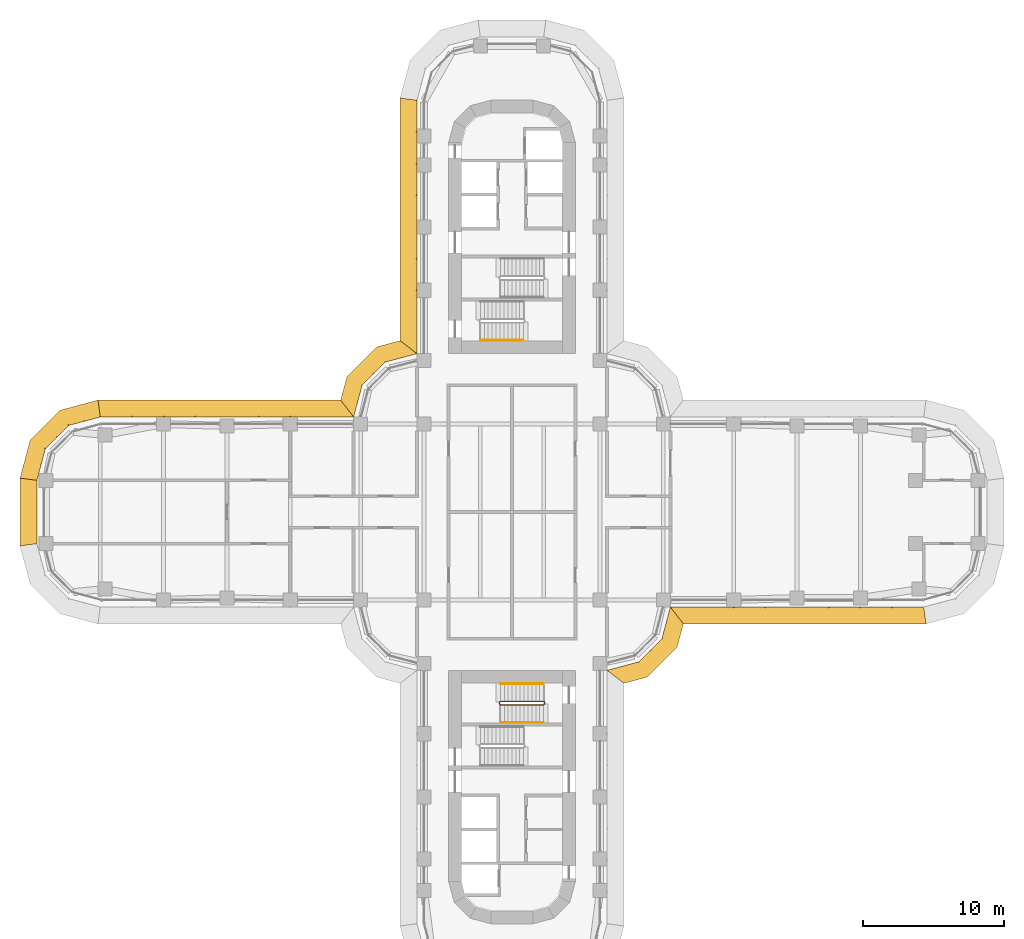
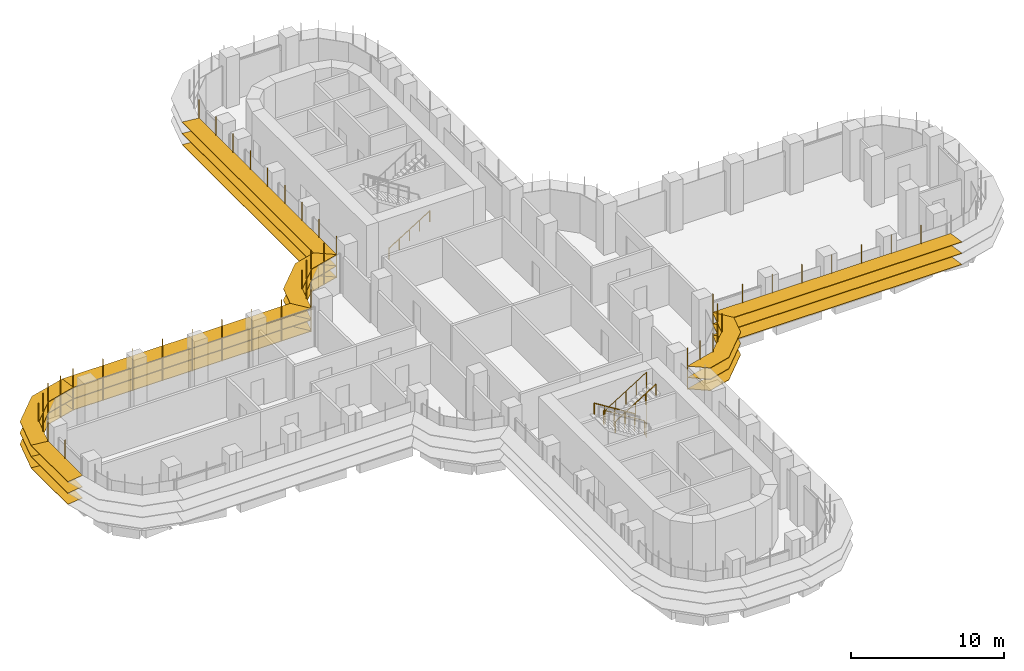
# One storey, part 21 of 23: 7 shading devices, 4 railings.
"""IFC4 building model written with IfcOpenShell, lengths in metres."""

from ifc_helpers import new_model, si_unit, direction, frame, origin, origin_2d, place, context, subcontext, project, spatial, polyline, circle, outline, extrude, faceted_brep, source, transform, mapped, material, type_object, element, save


model = new_model("IFC4")

# Units and contexts
model_context = context("Model", 3, precision=1e-05, world=origin(), true_north=direction((0.0, 1.0)))
body_context = subcontext(model_context, "Body", "Model", "MODEL_VIEW")
ifc_project = project(units=[si_unit("LENGTHUNIT", "METRE"), si_unit("AREAUNIT", "SQUARE_METRE"), si_unit("VOLUMEUNIT", "CUBIC_METRE"), si_unit("PLANEANGLEUNIT", "RADIAN"), si_unit("MASSUNIT", "GRAM", prefix="KILO")], contexts=[model_context])

# Site, building, storey
site_placement = place(None, origin())
site = spatial("IfcSite", under=ifc_project, at=site_placement, CompositionType="ELEMENT")
building_placement = place(site_placement, origin())
building = spatial("IfcBuilding", under=site, at=building_placement, Name="Zarbagh Exchange Tower", CompositionType="ELEMENT")
storey_placement = place(building_placement, frame((0.0, 0.0, 60.60009765625)))
storey = spatial("IfcBuildingStorey", under=building, at=storey_placement, Name="L13", CompositionType="ELEMENT", Elevation=60.60009765625)

# Railings
ifc_material_1 = material(Name="Stainless steel", Category="steel")
railing_type_1 = type_object("IfcRailingType", Name="Stair guard 1100 mm", PredefinedType="GUARDRAIL", material=ifc_material_1)
railing_1_placement = place(storey_placement, frame((-0.8798828125, -13.5, 2.099853515625)))
element("IfcRailing", 1, at=railing_1_placement, inside=storey, type_object=railing_type_1, Name="ST4 stair guard 1", PredefinedType="GUARDRAIL", context=body_context, shape_type="SweptSolid", body=[
    extrude(circle(Radius=0.02392578125, at=origin_2d()), frame((0.0, 0.0, 1.076171875), z_axis=(0.0, -1.0, 0.0), x_axis=(1.0, 0.0, 0.0)), (0.0, 0.0, 1.0), 0.14990234375),
    extrude(circle(Radius=0.02392578125, at=origin_2d()), frame((0.0, -0.14990234375, 1.076171875), z_axis=(0.263862480399, -0.265155923931, 0.927399011991), x_axis=(0.708833529934, 0.705375805398, 0.0)), (0.0, 0.0, 1.0), 0.188720703125),
    extrude(circle(Radius=0.02392578125, at=origin_2d()), frame((0.0498046875, -0.199951171875, 1.2509765625), z_axis=(0.847998304005, 0.0, 0.529998940003), x_axis=(0.0, 1.0, 0.0)), (0.0, 0.0, 1.0), 3.632080078125),
    extrude(circle(Radius=0.02392578125, at=origin_2d()), frame((3.1298828125, -0.199951171875, 3.17626953125), z_axis=(0.011914834358, 0.011914834358, -0.999858026644), x_axis=(-0.707106781187, 0.707106781187, 0.0)), (0.0, 0.0, 1.0), 4.200439453125),
    extrude(circle(Radius=0.02392578125, at=origin_2d()), frame((3.179931640625, -0.14990234375, -1.02392578125), z_axis=(0.0, 1.0, 0.0), x_axis=(-1.0, 0.0, 0.0)), (0.0, 0.0, 1.0), 0.14990234375),
    extrude(circle(Radius=0.02392578125, at=origin_2d()), frame((3.179931640625, 0.0, -1.02392578125), z_axis=(-0.265383341853, 0.265383341853, 0.926899867156), x_axis=(-0.707106781187, -0.707106781187, 0.0)), (0.0, 0.0, 1.0), 0.1884765625),
    extrude(circle(Radius=0.02392578125, at=origin_2d()), frame((3.1298828125, 0.050048828125, -0.84912109375), z_axis=(-0.847998304005, 0.0, 0.529998940003), x_axis=(0.0, -1.0, 0.0)), (0.0, 0.0, 1.0), 3.632080078125),
    extrude(circle(Radius=0.02099609375, at=origin_2d()), origin(), (0.0, 0.0, 1.0), 1.052001953125),
    extrude(circle(Radius=0.02099609375, at=origin_2d()), frame((0.0, -0.14990234375, 0.0)), (0.0, 0.0, 1.0), 1.052001953125),
    extrude(circle(Radius=0.02099609375, at=origin_2d()), frame((0.0498046875, -0.199951171875, 0.175048828125)), (0.0, 0.0, 1.0), 1.052001953125),
    extrude(circle(Radius=0.02099609375, at=origin_2d()), frame((0.81982421875, -0.199951171875, 0.65625)), (0.0, 0.0, 1.0), 1.052001953125),
    extrude(circle(Radius=0.02099609375, at=origin_2d()), frame((1.58984375, -0.199951171875, 1.1376953125)), (0.0, 0.0, 1.0), 1.052001953125),
    extrude(circle(Radius=0.02099609375, at=origin_2d()), frame((2.35986328125, -0.199951171875, 1.618896484375)), (0.0, 0.0, 1.0), 1.052001953125),
    extrude(circle(Radius=0.02099609375, at=origin_2d()), frame((3.1298828125, -0.199951171875, 2.10009765625)), (0.0, 0.0, 1.0), 1.052001953125),
    extrude(circle(Radius=0.02099609375, at=origin_2d()), frame((3.142333984375, -0.1875, 1.050048828125)), (0.0, 0.0, 1.0), 1.052001953125),
    extrude(circle(Radius=0.02099609375, at=origin_2d()), frame((3.15478515625, -0.1748046875, 0.0)), (0.0, 0.0, 1.0), 1.052001953125),
    extrude(circle(Radius=0.02099609375, at=origin_2d()), frame((3.16748046875, -0.162353515625, -1.0498046875)), (0.0, 0.0, 1.0), 1.052001953125),
    extrude(circle(Radius=0.02099609375, at=origin_2d()), frame((3.179931640625, -0.14990234375, -2.099853515625)), (0.0, 0.0, 1.0), 1.052001953125),
    extrude(circle(Radius=0.02099609375, at=origin_2d()), frame((3.179931640625, 0.0, -2.099853515625)), (0.0, 0.0, 1.0), 1.052001953125),
    extrude(circle(Radius=0.02099609375, at=origin_2d()), frame((3.1298828125, 0.050048828125, -1.925048828125)), (0.0, 0.0, 1.0), 1.052001953125),
    extrude(circle(Radius=0.02099609375, at=origin_2d()), frame((2.35986328125, 0.050048828125, -1.44384765625)), (0.0, 0.0, 1.0), 1.052001953125),
    extrude(circle(Radius=0.02099609375, at=origin_2d()), frame((1.58984375, 0.050048828125, -0.96240234375)), (0.0, 0.0, 1.0), 1.052001953125),
    extrude(circle(Radius=0.02099609375, at=origin_2d()), frame((0.81982421875, 0.050048828125, -0.481201171875)), (0.0, 0.0, 1.0), 1.052001953125),
    extrude(circle(Radius=0.02099609375, at=origin_2d()), frame((0.0498046875, 0.050048828125, 0.0)), (0.0, 0.0, 1.0), 1.052001953125),
])
railing_type_2 = type_object("IfcRailingType", Name="Stair handrail 900 mm", PredefinedType="HANDRAIL", material=ifc_material_1)
railing_2_placement = place(storey_placement, frame((-2.25, 12.199951171875, 0.1748046875)))
element("IfcRailing", 2, at=railing_2_placement, inside=storey, type_object=railing_type_2, Name="ST2 stair handrail 1", PredefinedType="HANDRAIL", context=body_context, shape_type="SweptSolid", body=[
    extrude(circle(Radius=0.02392578125, at=origin_2d()), frame((0.0, 0.0, 0.8759765625), z_axis=(0.847998304005, 0.0, 0.529998940003), x_axis=(0.0, 1.0, 0.0)), (0.0, 0.0, 1.0), 3.632080078125),
    extrude(circle(Radius=0.02099609375, at=origin_2d()), origin(), (0.0, 0.0, 1.0), 0.851806640625),
    extrude(circle(Radius=0.02099609375, at=origin_2d()), frame((0.77001953125, 0.0, 0.481201171875)), (0.0, 0.0, 1.0), 0.851806640625),
    extrude(circle(Radius=0.02099609375, at=origin_2d()), frame((1.5400390625, 0.0, 0.96240234375)), (0.0, 0.0, 1.0), 0.851806640625),
    extrude(circle(Radius=0.02099609375, at=origin_2d()), frame((2.31005859375, 0.0, 1.44384765625)), (0.0, 0.0, 1.0), 0.851806640625),
    extrude(circle(Radius=0.02099609375, at=origin_2d()), frame((3.080078125, 0.0, 1.925048828125)), (0.0, 0.0, 1.0), 0.851806640625),
])
railing_3_placement = place(storey_placement, frame((2.25, -12.199951171875, 0.1748046875)))
element("IfcRailing", 3, at=railing_3_placement, inside=storey, type_object=railing_type_2, Name="ST4 stair handrail 1", PredefinedType="HANDRAIL", context=body_context, shape_type="SweptSolid", body=[
    extrude(circle(Radius=0.02392578125, at=origin_2d()), frame((0.0, 0.0, 0.8759765625), z_axis=(-0.847998304005, 0.0, 0.529998940003), x_axis=(0.0, -1.0, 0.0)), (0.0, 0.0, 1.0), 3.632080078125),
    extrude(circle(Radius=0.02099609375, at=origin_2d()), origin(), (0.0, 0.0, 1.0), 0.851806640625),
    extrude(circle(Radius=0.02099609375, at=origin_2d()), frame((-0.77001953125, 0.0, 0.481201171875)), (0.0, 0.0, 1.0), 0.851806640625),
    extrude(circle(Radius=0.02099609375, at=origin_2d()), frame((-1.5400390625, 0.0, 0.96240234375)), (0.0, 0.0, 1.0), 0.851806640625),
    extrude(circle(Radius=0.02099609375, at=origin_2d()), frame((-2.31005859375, 0.0, 1.44384765625)), (0.0, 0.0, 1.0), 0.851806640625),
    extrude(circle(Radius=0.02099609375, at=origin_2d()), frame((-3.080078125, 0.0, 1.925048828125)), (0.0, 0.0, 1.0), 0.851806640625),
])
railing_4_placement = place(storey_placement, frame((-0.830078125, -14.949951171875, 2.27490234375)))
element("IfcRailing", 4, at=railing_4_placement, inside=storey, type_object=railing_type_2, Name="ST4 stair handrail 2", PredefinedType="HANDRAIL", context=body_context, shape_type="SweptSolid", body=[
    extrude(circle(Radius=0.02392578125, at=origin_2d()), frame((0.0, 0.0, 0.8759765625), z_axis=(0.847998304005, 0.0, 0.529998940003), x_axis=(0.0, 1.0, 0.0)), (0.0, 0.0, 1.0), 3.632080078125),
    extrude(circle(Radius=0.02099609375, at=origin_2d()), origin(), (0.0, 0.0, 1.0), 0.851806640625),
    extrude(circle(Radius=0.02099609375, at=origin_2d()), frame((0.77001953125, 0.0, 0.481201171875)), (0.0, 0.0, 1.0), 0.851806640625),
    extrude(circle(Radius=0.02099609375, at=origin_2d()), frame((1.5400390625, 0.0, 0.96240234375)), (0.0, 0.0, 1.0), 0.851806640625),
    extrude(circle(Radius=0.02099609375, at=origin_2d()), frame((2.31005859375, 0.0, 1.44384765625)), (0.0, 0.0, 1.0), 0.851806640625),
    extrude(circle(Radius=0.02099609375, at=origin_2d()), frame((3.080078125, 0.0, 1.925048828125)), (0.0, 0.0, 1.0), 0.851806640625),
])

# Shading devices
ifc_material_2 = material(Name="Anodised aluminium blades and brackets", Category="aluminium")
shading_device_type = type_object("IfcShadingDeviceType", Name="SUNSHADE louvre band, 0 degree blades", PredefinedType="JALOUSIE", material=ifc_material_2)
shared_shape_1 = source(origin(), body_context, "Body", "Brep", [
    faceted_brep([(0.0, 0.0, 0.0), (0.0, 0.0, -0.0400390625), (-0.157958984375, -1.199951171875, -0.0400390625), (-0.157958984375, -1.199951171875, 0.0), (2.65087890625, -1.199951171875, 0.0), (2.65087890625, -1.199951171875, -0.0400390625), (2.329345703125, 0.0, -0.0400390625), (2.329345703125, 0.0, 0.0)], [[[0, 1, 2, 3]], [[4, 5, 6, 7]], [[0, 7, 6, 1]], [[1, 6, 5, 2]], [[2, 5, 4, 3]], [[3, 4, 7, 0]]]),
])
shared_shape_2 = source(origin(), body_context, "Body", "Brep", [
    faceted_brep([(0.0, 0.0, 0.0), (0.0, 0.0, -0.0400390625), (-0.321533203125, -1.199951171875, -0.0400390625), (-0.321533203125, -1.199951171875, 0.0), (2.65087890625, -1.199951171875, 0.0), (2.65087890625, -1.199951171875, -0.0400390625), (2.329345703125, 0.0, -0.0400390625), (2.329345703125, 0.0, 0.0)], [[[0, 1, 2, 3]], [[4, 5, 6, 7]], [[0, 7, 6, 1]], [[1, 6, 5, 2]], [[2, 5, 4, 3]], [[3, 4, 7, 0]]]),
])
shared_shape_3 = source(origin(), body_context, "Body", "Brep", [
    faceted_brep([(0.0, 0.0, 0.0), (0.0, 0.0, -0.0400390625), (-0.321533203125, -1.199951171875, -0.0400390625), (-0.321533203125, -1.199951171875, 0.0), (2.4873046875, -1.199951171875, 0.0), (2.4873046875, -1.199951171875, -0.0400390625), (2.329345703125, 0.0, -0.0400390625), (2.329345703125, 0.0, 0.0)], [[[0, 1, 2, 3]], [[4, 5, 6, 7]], [[0, 7, 6, 1]], [[1, 6, 5, 2]], [[2, 5, 4, 3]], [[3, 4, 7, 0]]]),
])
shared_shape_4 = source(origin(), body_context, "Body", "SweptSolid", [
    extrude(outline(polyline([(0.0, -0.012451171875), (0.06005859375, -0.012451171875), (0.06005859375, 0.012451171875), (0.0, 0.012451171875), (0.0, -0.012451171875)])), origin(), (0.0, 0.0, 1.0), 3.35009765625),
])
placement = place(storey_placement, origin())
element("IfcShadingDevice", 5, at=placement, inside=storey, type_object=shading_device_type, Name="SS17 sunshade band", PredefinedType="JALOUSIE", context=body_context, shape_type="MappedRepresentation", body=[
    mapped(shared_shape_1, transform((-29.25, 6.75, 2.699951171875), x_axis=(-0.965924289636, -0.258824779902, 0.0), y_axis=(0.258824779902, -0.965924289636, 0.0), z_axis=(0.0, 0.0, 1.0))),
    mapped(shared_shape_1, transform((-29.25, 6.75, 1.7998046875), x_axis=(-0.965924289636, -0.258824779902, 0.0), y_axis=(0.258824779902, -0.965924289636, 0.0), z_axis=(0.0, 0.0, 1.0))),
    mapped(shared_shape_1, transform((-29.25, 6.75, 0.89990234375), x_axis=(-0.965924289636, -0.258824779902, 0.0), y_axis=(0.258824779902, -0.965924289636, 0.0), z_axis=(0.0, 0.0, 1.0))),
    mapped(shared_shape_2, transform((-31.5, 6.147216796875, 2.699951171875), x_axis=(-0.707106781187, -0.707106781187, 0.0), y_axis=(0.707106781187, -0.707106781187, 0.0), z_axis=(0.0, 0.0, 1.0))),
    mapped(shared_shape_2, transform((-31.5, 6.147216796875, 1.7998046875), x_axis=(-0.707106781187, -0.707106781187, 0.0), y_axis=(0.707106781187, -0.707106781187, 0.0), z_axis=(0.0, 0.0, 1.0))),
    mapped(shared_shape_2, transform((-31.5, 6.147216796875, 0.89990234375), x_axis=(-0.707106781187, -0.707106781187, 0.0), y_axis=(0.707106781187, -0.707106781187, 0.0), z_axis=(0.0, 0.0, 1.0))),
    mapped(shared_shape_3, transform((-33.147216796875, 4.5, 2.699951171875), x_axis=(-0.258824779902, -0.965924289636, 0.0), y_axis=(0.965924289636, -0.258824779902, 0.0), z_axis=(0.0, 0.0, 1.0))),
    mapped(shared_shape_3, transform((-33.147216796875, 4.5, 1.7998046875), x_axis=(-0.258824779902, -0.965924289636, 0.0), y_axis=(0.965924289636, -0.258824779902, 0.0), z_axis=(0.0, 0.0, 1.0))),
    mapped(shared_shape_3, transform((-33.147216796875, 4.5, 0.89990234375), x_axis=(-0.258824779902, -0.965924289636, 0.0), y_axis=(0.965924289636, -0.258824779902, 0.0), z_axis=(0.0, 0.0, 1.0))),
    mapped(shared_shape_4, transform((-29.25, 6.75, 0.829833984375), x_axis=(-0.130529263012, 0.991444457092, 0.0), y_axis=(-0.991444457092, -0.130529263012, 0.0), z_axis=(0.0, 0.0, 1.0))),
    mapped(shared_shape_4, transform((-30.375, 6.448486328125, 0.829833984375), x_axis=(-0.258825058029, 0.96592421511, 0.0), y_axis=(-0.96592421511, -0.258825058029, 0.0), z_axis=(0.0, 0.0, 1.0))),
    mapped(shared_shape_4, transform((-31.5, 6.147216796875, 0.829833984375), x_axis=(-0.50000275701, 0.866023812018, 0.0), y_axis=(-0.866023812018, -0.50000275701, 0.0), z_axis=(0.0, 0.0, 1.0))),
    mapped(shared_shape_4, transform((-32.323486328125, 5.323486328125, 0.829833984375), x_axis=(-0.707106781187, 0.707106781187, 0.0), y_axis=(-0.707106781187, -0.707106781187, 0.0), z_axis=(0.0, 0.0, 1.0))),
    mapped(shared_shape_4, transform((-33.147216796875, 4.5, 0.829833984375), x_axis=(-0.866023812018, 0.50000275701, 0.0), y_axis=(-0.50000275701, -0.866023812018, 0.0), z_axis=(0.0, 0.0, 1.0))),
    mapped(shared_shape_4, transform((-33.448486328125, 3.375, 0.829833984375), x_axis=(-0.96592421511, 0.258825058029, 0.0), y_axis=(-0.258825058029, -0.96592421511, 0.0), z_axis=(0.0, 0.0, 1.0))),
])
shared_shape_5 = source(origin(), body_context, "Body", "Brep", [
    faceted_brep([(0.0, 0.0, 0.0), (0.0, 0.0, -0.0400390625), (0.9208984375, -1.199951171875, -0.0400390625), (0.9208984375, -1.199951171875, 0.0), (2.65087890625, -1.199951171875, 0.0), (2.65087890625, -1.199951171875, -0.0400390625), (2.329345703125, 0.0, -0.0400390625), (2.329345703125, 0.0, 0.0)], [[[0, 1, 2, 3]], [[4, 5, 6, 7]], [[0, 7, 6, 1]], [[1, 6, 5, 2]], [[2, 5, 4, 3]], [[3, 4, 7, 0]]]),
])
shared_shape_6 = source(origin(), body_context, "Body", "Brep", [
    faceted_brep([(0.0, 0.0, 0.0), (0.0, 0.0, -0.0400390625), (-0.321533203125, -1.199951171875, -0.0400390625), (-0.321533203125, -1.199951171875, 0.0), (1.40869140625, -1.199951171875, 0.0), (1.40869140625, -1.199951171875, -0.0400390625), (2.329345703125, 0.0, -0.0400390625), (2.329345703125, 0.0, 0.0)], [[[0, 1, 2, 3]], [[4, 5, 6, 7]], [[0, 7, 6, 1]], [[1, 6, 5, 2]], [[2, 5, 4, 3]], [[3, 4, 7, 0]]]),
])
element("IfcShadingDevice", 6, at=placement, inside=storey, type_object=shading_device_type, Name="SS03 sunshade band", PredefinedType="JALOUSIE", context=body_context, shape_type="MappedRepresentation", body=[
    mapped(shared_shape_5, transform((6.75, -11.25, 2.699951171875), x_axis=(0.965924289636, 0.258824779902, 0.0), y_axis=(-0.258824779902, 0.965924289636, 0.0), z_axis=(0.0, 0.0, 1.0))),
    mapped(shared_shape_5, transform((6.75, -11.25, 1.7998046875), x_axis=(0.965924289636, 0.258824779902, 0.0), y_axis=(-0.258824779902, 0.965924289636, 0.0), z_axis=(0.0, 0.0, 1.0))),
    mapped(shared_shape_5, transform((6.75, -11.25, 0.89990234375), x_axis=(0.965924289636, 0.258824779902, 0.0), y_axis=(-0.258824779902, 0.965924289636, 0.0), z_axis=(0.0, 0.0, 1.0))),
    mapped(shared_shape_2, transform((9.0, -10.647216796875, 2.699951171875), x_axis=(0.707106781187, 0.707106781187, 0.0), y_axis=(-0.707106781187, 0.707106781187, 0.0), z_axis=(0.0, 0.0, 1.0))),
    mapped(shared_shape_2, transform((9.0, -10.647216796875, 1.7998046875), x_axis=(0.707106781187, 0.707106781187, 0.0), y_axis=(-0.707106781187, 0.707106781187, 0.0), z_axis=(0.0, 0.0, 1.0))),
    mapped(shared_shape_2, transform((9.0, -10.647216796875, 0.89990234375), x_axis=(0.707106781187, 0.707106781187, 0.0), y_axis=(-0.707106781187, 0.707106781187, 0.0), z_axis=(0.0, 0.0, 1.0))),
    mapped(shared_shape_6, transform((10.647216796875, -9.0, 2.699951171875), x_axis=(0.258824779902, 0.965924289636, 0.0), y_axis=(-0.965924289636, 0.258824779902, 0.0), z_axis=(0.0, 0.0, 1.0))),
    mapped(shared_shape_6, transform((10.647216796875, -9.0, 1.7998046875), x_axis=(0.258824779902, 0.965924289636, 0.0), y_axis=(-0.965924289636, 0.258824779902, 0.0), z_axis=(0.0, 0.0, 1.0))),
    mapped(shared_shape_6, transform((10.647216796875, -9.0, 0.89990234375), x_axis=(0.258824779902, 0.965924289636, 0.0), y_axis=(-0.965924289636, 0.258824779902, 0.0), z_axis=(0.0, 0.0, 1.0))),
    mapped(shared_shape_4, transform((6.75, -11.25, 0.829833984375), x_axis=(0.793355287, -0.608758892, 0.0), y_axis=(0.608758892, 0.793355287, 0.0), z_axis=(0.0, 0.0, 1.0))),
    mapped(shared_shape_4, transform((7.875, -10.948486328125, 0.829833984375), x_axis=(0.258825058029, -0.96592421511, 0.0), y_axis=(0.96592421511, 0.258825058029, 0.0), z_axis=(0.0, 0.0, 1.0))),
    mapped(shared_shape_4, transform((9.0, -10.647216796875, 0.829833984375), x_axis=(0.50000275701, -0.866023812018, 0.0), y_axis=(0.866023812018, 0.50000275701, 0.0), z_axis=(0.0, 0.0, 1.0))),
    mapped(shared_shape_4, transform((9.823486328125, -9.823486328125, 0.829833984375), x_axis=(0.707106781187, -0.707106781187, 0.0), y_axis=(0.707106781187, 0.707106781187, 0.0), z_axis=(0.0, 0.0, 1.0))),
    mapped(shared_shape_4, transform((10.647216796875, -9.0, 0.829833984375), x_axis=(0.866023812018, -0.50000275701, 0.0), y_axis=(0.50000275701, 0.866023812018, 0.0), z_axis=(0.0, 0.0, 1.0))),
    mapped(shared_shape_4, transform((10.948486328125, -7.875, 0.829833984375), x_axis=(0.96592421511, -0.258825058029, 0.0), y_axis=(0.258825058029, 0.96592421511, 0.0), z_axis=(0.0, 0.0, 1.0))),
])
element("IfcShadingDevice", 7, at=placement, inside=storey, type_object=shading_device_type, Name="SS15 sunshade band", PredefinedType="JALOUSIE", context=body_context, shape_type="MappedRepresentation", body=[
    mapped(shared_shape_5, transform((-6.75, 11.25, 2.699951171875), x_axis=(-0.965924289636, -0.258824779902, 0.0), y_axis=(0.258824779902, -0.965924289636, 0.0), z_axis=(0.0, 0.0, 1.0))),
    mapped(shared_shape_5, transform((-6.75, 11.25, 1.7998046875), x_axis=(-0.965924289636, -0.258824779902, 0.0), y_axis=(0.258824779902, -0.965924289636, 0.0), z_axis=(0.0, 0.0, 1.0))),
    mapped(shared_shape_5, transform((-6.75, 11.25, 0.89990234375), x_axis=(-0.965924289636, -0.258824779902, 0.0), y_axis=(0.258824779902, -0.965924289636, 0.0), z_axis=(0.0, 0.0, 1.0))),
    mapped(shared_shape_2, transform((-9.0, 10.647216796875, 2.699951171875), x_axis=(-0.707106781187, -0.707106781187, 0.0), y_axis=(0.707106781187, -0.707106781187, 0.0), z_axis=(0.0, 0.0, 1.0))),
    mapped(shared_shape_2, transform((-9.0, 10.647216796875, 1.7998046875), x_axis=(-0.707106781187, -0.707106781187, 0.0), y_axis=(0.707106781187, -0.707106781187, 0.0), z_axis=(0.0, 0.0, 1.0))),
    mapped(shared_shape_2, transform((-9.0, 10.647216796875, 0.89990234375), x_axis=(-0.707106781187, -0.707106781187, 0.0), y_axis=(0.707106781187, -0.707106781187, 0.0), z_axis=(0.0, 0.0, 1.0))),
    mapped(shared_shape_6, transform((-10.647216796875, 9.0, 2.699951171875), x_axis=(-0.258824779902, -0.965924289636, 0.0), y_axis=(0.965924289636, -0.258824779902, 0.0), z_axis=(0.0, 0.0, 1.0))),
    mapped(shared_shape_6, transform((-10.647216796875, 9.0, 1.7998046875), x_axis=(-0.258824779902, -0.965924289636, 0.0), y_axis=(0.965924289636, -0.258824779902, 0.0), z_axis=(0.0, 0.0, 1.0))),
    mapped(shared_shape_6, transform((-10.647216796875, 9.0, 0.89990234375), x_axis=(-0.258824779902, -0.965924289636, 0.0), y_axis=(0.965924289636, -0.258824779902, 0.0), z_axis=(0.0, 0.0, 1.0))),
    mapped(shared_shape_4, transform((-6.75, 11.25, 0.829833984375), x_axis=(-0.793355287, 0.608758892, 0.0), y_axis=(-0.608758892, -0.793355287, 0.0), z_axis=(0.0, 0.0, 1.0))),
    mapped(shared_shape_4, transform((-7.875, 10.948486328125, 0.829833984375), x_axis=(-0.258825058029, 0.96592421511, 0.0), y_axis=(-0.96592421511, -0.258825058029, 0.0), z_axis=(0.0, 0.0, 1.0))),
    mapped(shared_shape_4, transform((-9.0, 10.647216796875, 0.829833984375), x_axis=(-0.50000275701, 0.866023812018, 0.0), y_axis=(-0.866023812018, -0.50000275701, 0.0), z_axis=(0.0, 0.0, 1.0))),
    mapped(shared_shape_4, transform((-9.823486328125, 9.823486328125, 0.829833984375), x_axis=(-0.707106781187, 0.707106781187, 0.0), y_axis=(-0.707106781187, -0.707106781187, 0.0), z_axis=(0.0, 0.0, 1.0))),
    mapped(shared_shape_4, transform((-10.647216796875, 9.0, 0.829833984375), x_axis=(-0.866023812018, 0.50000275701, 0.0), y_axis=(-0.50000275701, -0.866023812018, 0.0), z_axis=(0.0, 0.0, 1.0))),
    mapped(shared_shape_4, transform((-10.948486328125, 7.875, 0.829833984375), x_axis=(-0.96592421511, 0.258825058029, 0.0), y_axis=(-0.258825058029, -0.96592421511, 0.0), z_axis=(0.0, 0.0, 1.0))),
])
shared_shape_7 = source(origin(), body_context, "Body", "Brep", [
    faceted_brep([(0.0, 0.0, 0.0), (0.0, 0.0, -0.0400390625), (0.9208984375, -1.199951171875, -0.0400390625), (0.9208984375, -1.199951171875, 0.0), (18.157958984375, -1.199951171875, 0.0), (18.157958984375, -1.199951171875, -0.0400390625), (18.0, 0.0, -0.0400390625), (18.0, 0.0, 0.0)], [[[0, 1, 2, 3]], [[4, 5, 6, 7]], [[0, 7, 6, 1]], [[1, 6, 5, 2]], [[2, 5, 4, 3]], [[3, 4, 7, 0]]]),
])
element("IfcShadingDevice", 8, at=placement, inside=storey, type_object=shading_device_type, Name="SS04 sunshade band", PredefinedType="JALOUSIE", context=body_context, shape_type="MappedRepresentation", body=[
    mapped(shared_shape_7, transform((11.25, -6.75, 2.699951171875), x_axis=(1.0, 0.0, 0.0), y_axis=(0.0, 1.0, 0.0), z_axis=(0.0, 0.0, 1.0))),
    mapped(shared_shape_7, transform((11.25, -6.75, 1.7998046875), x_axis=(1.0, 0.0, 0.0), y_axis=(0.0, 1.0, 0.0), z_axis=(0.0, 0.0, 1.0))),
    mapped(shared_shape_7, transform((11.25, -6.75, 0.89990234375), x_axis=(1.0, 0.0, 0.0), y_axis=(0.0, 1.0, 0.0), z_axis=(0.0, 0.0, 1.0))),
    mapped(shared_shape_4, transform((11.25, -6.75, 0.829833984375), x_axis=(0.608758892, -0.793355287, 0.0), y_axis=(0.793355287, 0.608758892, 0.0), z_axis=(0.0, 0.0, 1.0))),
    mapped(shared_shape_4, transform((13.5, -6.75, 0.829833984375), x_axis=(0.0, -1.0, 0.0), y_axis=(1.0, 0.0, 0.0), z_axis=(0.0, 0.0, 1.0))),
    mapped(shared_shape_4, transform((15.75, -6.75, 0.829833984375), x_axis=(0.0, -1.0, 0.0), y_axis=(1.0, 0.0, 0.0), z_axis=(0.0, 0.0, 1.0))),
    mapped(shared_shape_4, transform((18.0, -6.75, 0.829833984375), x_axis=(0.0, -1.0, 0.0), y_axis=(1.0, 0.0, 0.0), z_axis=(0.0, 0.0, 1.0))),
    mapped(shared_shape_4, transform((20.25, -6.75, 0.829833984375), x_axis=(0.0, -1.0, 0.0), y_axis=(1.0, 0.0, 0.0), z_axis=(0.0, 0.0, 1.0))),
    mapped(shared_shape_4, transform((22.5, -6.75, 0.829833984375), x_axis=(0.0, -1.0, 0.0), y_axis=(1.0, 0.0, 0.0), z_axis=(0.0, 0.0, 1.0))),
    mapped(shared_shape_4, transform((24.75, -6.75, 0.829833984375), x_axis=(0.0, -1.0, 0.0), y_axis=(1.0, 0.0, 0.0), z_axis=(0.0, 0.0, 1.0))),
    mapped(shared_shape_4, transform((27.0, -6.75, 0.829833984375), x_axis=(0.0, -1.0, 0.0), y_axis=(1.0, 0.0, 0.0), z_axis=(0.0, 0.0, 1.0))),
])
shared_shape_8 = source(origin(), body_context, "Body", "Brep", [
    faceted_brep([(0.0, 0.0, 0.0), (0.0, 0.0, -0.0400390625), (-0.157958984375, -1.199951171875, -0.0400390625), (-0.157958984375, -1.199951171875, 0.0), (17.0791015625, -1.199951171875, 0.0), (17.0791015625, -1.199951171875, -0.0400390625), (18.0, 0.0, -0.0400390625), (18.0, 0.0, 0.0)], [[[0, 1, 2, 3]], [[4, 5, 6, 7]], [[0, 7, 6, 1]], [[1, 6, 5, 2]], [[2, 5, 4, 3]], [[3, 4, 7, 0]]]),
])
element("IfcShadingDevice", 9, at=placement, inside=storey, type_object=shading_device_type, Name="SS14 sunshade band", PredefinedType="JALOUSIE", context=body_context, shape_type="MappedRepresentation", body=[
    mapped(shared_shape_8, transform((-6.75, 29.25, 2.699951171875), x_axis=(0.0, -1.0, 0.0), y_axis=(1.0, 0.0, 0.0), z_axis=(0.0, 0.0, 1.0))),
    mapped(shared_shape_8, transform((-6.75, 29.25, 1.7998046875), x_axis=(0.0, -1.0, 0.0), y_axis=(1.0, 0.0, 0.0), z_axis=(0.0, 0.0, 1.0))),
    mapped(shared_shape_8, transform((-6.75, 29.25, 0.89990234375), x_axis=(0.0, -1.0, 0.0), y_axis=(1.0, 0.0, 0.0), z_axis=(0.0, 0.0, 1.0))),
    mapped(shared_shape_4, transform((-6.75, 29.25, 0.829833984375), x_axis=(-0.991444457092, 0.130529263012, 0.0), y_axis=(-0.130529263012, -0.991444457092, 0.0), z_axis=(0.0, 0.0, 1.0))),
    mapped(shared_shape_4, transform((-6.75, 27.0, 0.829833984375), x_axis=(-1.0, 0.0, 0.0), y_axis=(0.0, -1.0, 0.0), z_axis=(0.0, 0.0, 1.0))),
    mapped(shared_shape_4, transform((-6.75, 24.75, 0.829833984375), x_axis=(-1.0, 0.0, 0.0), y_axis=(0.0, -1.0, 0.0), z_axis=(0.0, 0.0, 1.0))),
    mapped(shared_shape_4, transform((-6.75, 22.5, 0.829833984375), x_axis=(-1.0, 0.0, 0.0), y_axis=(0.0, -1.0, 0.0), z_axis=(0.0, 0.0, 1.0))),
    mapped(shared_shape_4, transform((-6.75, 20.25, 0.829833984375), x_axis=(-1.0, 0.0, 0.0), y_axis=(0.0, -1.0, 0.0), z_axis=(0.0, 0.0, 1.0))),
    mapped(shared_shape_4, transform((-6.75, 18.0, 0.829833984375), x_axis=(-1.0, 0.0, 0.0), y_axis=(0.0, -1.0, 0.0), z_axis=(0.0, 0.0, 1.0))),
    mapped(shared_shape_4, transform((-6.75, 15.75, 0.829833984375), x_axis=(-1.0, 0.0, 0.0), y_axis=(0.0, -1.0, 0.0), z_axis=(0.0, 0.0, 1.0))),
    mapped(shared_shape_4, transform((-6.75, 13.5, 0.829833984375), x_axis=(-1.0, 0.0, 0.0), y_axis=(0.0, -1.0, 0.0), z_axis=(0.0, 0.0, 1.0))),
])
element("IfcShadingDevice", 10, at=placement, inside=storey, type_object=shading_device_type, Name="SS16 sunshade band", PredefinedType="JALOUSIE", context=body_context, shape_type="MappedRepresentation", body=[
    mapped(shared_shape_7, transform((-11.25, 6.75, 2.699951171875), x_axis=(-1.0, 0.0, 0.0), y_axis=(0.0, -1.0, 0.0), z_axis=(0.0, 0.0, 1.0))),
    mapped(shared_shape_7, transform((-11.25, 6.75, 1.7998046875), x_axis=(-1.0, 0.0, 0.0), y_axis=(0.0, -1.0, 0.0), z_axis=(0.0, 0.0, 1.0))),
    mapped(shared_shape_7, transform((-11.25, 6.75, 0.89990234375), x_axis=(-1.0, 0.0, 0.0), y_axis=(0.0, -1.0, 0.0), z_axis=(0.0, 0.0, 1.0))),
    mapped(shared_shape_4, transform((-11.25, 6.75, 0.829833984375), x_axis=(-0.608758892, 0.793355287, 0.0), y_axis=(-0.793355287, -0.608758892, 0.0), z_axis=(0.0, 0.0, 1.0))),
    mapped(shared_shape_4, transform((-13.5, 6.75, 0.829833984375), x_axis=(0.0, 1.0, 0.0), y_axis=(-1.0, 0.0, 0.0), z_axis=(0.0, 0.0, 1.0))),
    mapped(shared_shape_4, transform((-15.75, 6.75, 0.829833984375), x_axis=(0.0, 1.0, 0.0), y_axis=(-1.0, 0.0, 0.0), z_axis=(0.0, 0.0, 1.0))),
    mapped(shared_shape_4, transform((-18.0, 6.75, 0.829833984375), x_axis=(0.0, 1.0, 0.0), y_axis=(-1.0, 0.0, 0.0), z_axis=(0.0, 0.0, 1.0))),
    mapped(shared_shape_4, transform((-20.25, 6.75, 0.829833984375), x_axis=(0.0, 1.0, 0.0), y_axis=(-1.0, 0.0, 0.0), z_axis=(0.0, 0.0, 1.0))),
    mapped(shared_shape_4, transform((-22.5, 6.75, 0.829833984375), x_axis=(0.0, 1.0, 0.0), y_axis=(-1.0, 0.0, 0.0), z_axis=(0.0, 0.0, 1.0))),
    mapped(shared_shape_4, transform((-24.75, 6.75, 0.829833984375), x_axis=(0.0, 1.0, 0.0), y_axis=(-1.0, 0.0, 0.0), z_axis=(0.0, 0.0, 1.0))),
    mapped(shared_shape_4, transform((-27.0, 6.75, 0.829833984375), x_axis=(0.0, 1.0, 0.0), y_axis=(-1.0, 0.0, 0.0), z_axis=(0.0, 0.0, 1.0))),
])
shared_shape_9 = source(origin(), body_context, "Body", "Brep", [
    faceted_brep([(0.0, 0.0, 0.0), (0.0, 0.0, -0.0400390625), (-0.157958984375, -1.199951171875, -0.0400390625), (-0.157958984375, -1.199951171875, 0.0), (4.657958984375, -1.199951171875, 0.0), (4.657958984375, -1.199951171875, -0.0400390625), (4.5, 0.0, -0.0400390625), (4.5, 0.0, 0.0)], [[[0, 1, 2, 3]], [[4, 5, 6, 7]], [[0, 7, 6, 1]], [[1, 6, 5, 2]], [[2, 5, 4, 3]], [[3, 4, 7, 0]]]),
])
element("IfcShadingDevice", 11, at=placement, inside=storey, type_object=shading_device_type, Name="SS18 sunshade band", PredefinedType="JALOUSIE", context=body_context, shape_type="MappedRepresentation", body=[
    mapped(shared_shape_9, transform((-33.75, 2.25, 2.699951171875), x_axis=(0.0, -1.0, 0.0), y_axis=(1.0, 0.0, 0.0), z_axis=(0.0, 0.0, 1.0))),
    mapped(shared_shape_9, transform((-33.75, 2.25, 1.7998046875), x_axis=(0.0, -1.0, 0.0), y_axis=(1.0, 0.0, 0.0), z_axis=(0.0, 0.0, 1.0))),
    mapped(shared_shape_9, transform((-33.75, 2.25, 0.89990234375), x_axis=(0.0, -1.0, 0.0), y_axis=(1.0, 0.0, 0.0), z_axis=(0.0, 0.0, 1.0))),
    mapped(shared_shape_4, transform((-33.75, 2.25, 0.829833984375), x_axis=(-0.991444457092, 0.130529263012, 0.0), y_axis=(-0.130529263012, -0.991444457092, 0.0), z_axis=(0.0, 0.0, 1.0))),
    mapped(shared_shape_4, transform((-33.75, 0.0, 0.829833984375), x_axis=(-1.0, 0.0, 0.0), y_axis=(0.0, -1.0, 0.0), z_axis=(0.0, 0.0, 1.0))),
])

save(model, "model.ifc")
